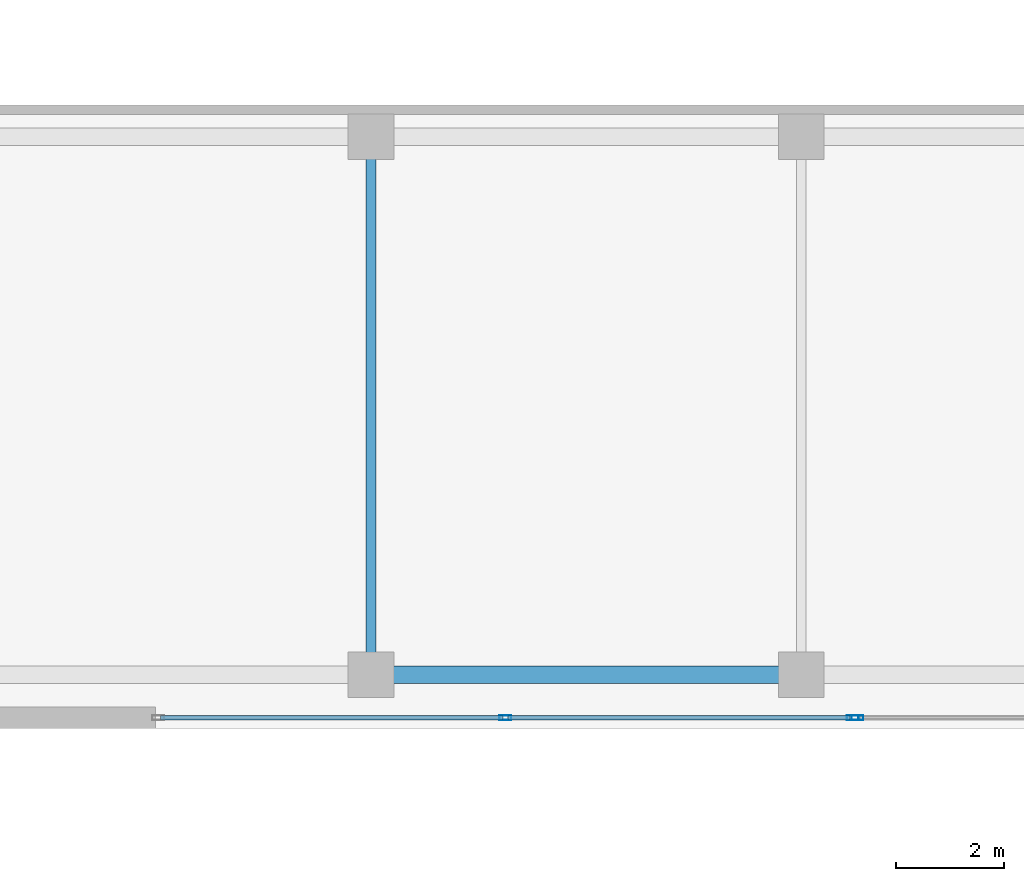
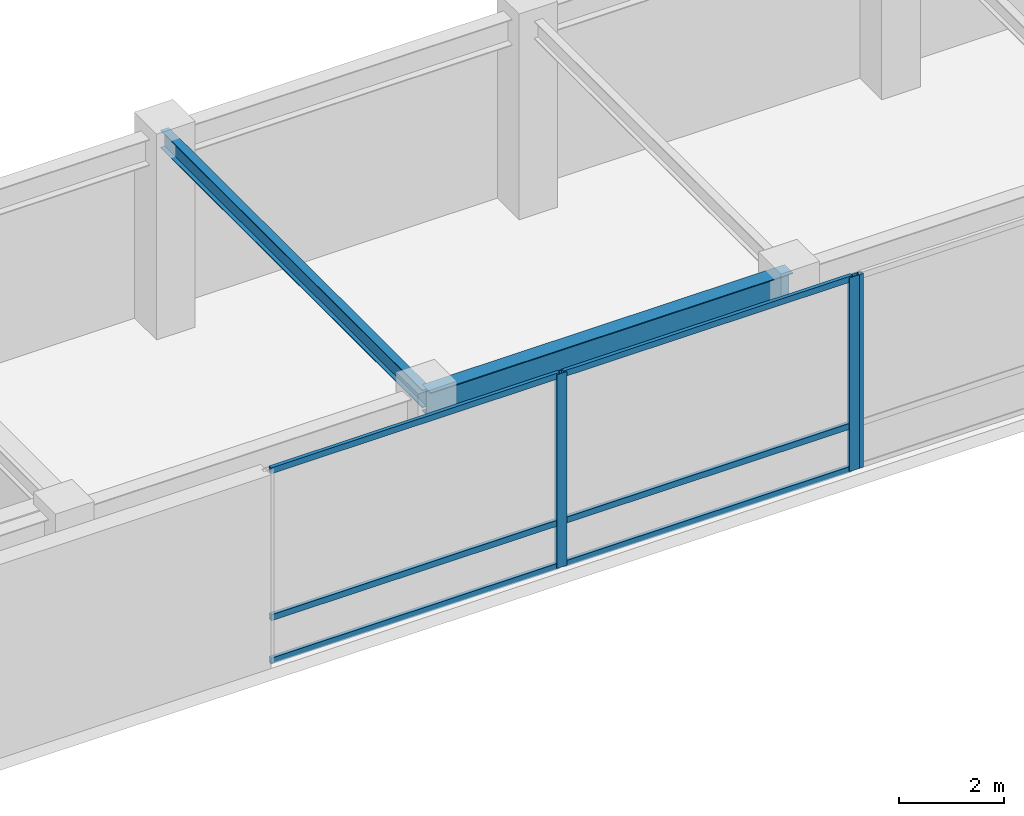
# One storey, part 13 of 36: 9 members, 2 beams, 2 elements without a shape of their own.
"""IFC4 building model written with IfcOpenShell, lengths in metres."""

from ifc_helpers import new_model, si_unit, direction, frame, origin, origin_2d, place, context, subcontext, project, spatial, hollow_rectangle, i_section, extrude, material, layer, layer_set, material_profile, profile_set, type_object, element, aggregate, save


model = new_model("IFC4")

# Units and contexts
model_context = context("Model", 3, precision=1e-05, world=origin(), true_north=direction((0.0, 1.0)))
body_context = subcontext(model_context, "Body", "Model", "MODEL_VIEW")
ifc_project = project(units=[si_unit("LENGTHUNIT", "METRE"), si_unit("AREAUNIT", "SQUARE_METRE"), si_unit("VOLUMEUNIT", "CUBIC_METRE"), si_unit("PLANEANGLEUNIT", "RADIAN"), si_unit("MASSUNIT", "GRAM", prefix="KILO")], contexts=[model_context])

# Site, building, storey
site_placement = place(None, origin())
site = spatial("IfcSite", under=ifc_project, at=site_placement, CompositionType="ELEMENT")
building_placement = place(site_placement, origin())
building = spatial("IfcBuilding", under=site, at=building_placement, Name="Kazevale Care Tower and Concert Hall", CompositionType="ELEMENT")
storey_placement = place(building_placement, frame((0.0, 0.0, 14.39990234375)))
storey = spatial("IfcBuildingStorey", under=building, at=storey_placement, Name="L03", CompositionType="ELEMENT", Elevation=14.39990234375)

# Curtain wall, members
ifc_material_1 = material(Name="Aluminium 6063-T6 and Low-E Glass", Category="aluminium")
ifc_layer = layer(ifc_material_1, 0.179931640625)
ifc_layer_set = layer_set([ifc_layer], Name="Aluminium 6063-T6 and Low-E Glass")
curtain_wall_type = type_object("IfcCurtainWallType", Name="Concert Hall Foyer Storefront Curtain Wall CW-6", PredefinedType="NOTDEFINED", material=ifc_layer_set)
curtain_wall_1_placement = place(storey_placement, origin())
curtain_wall_1 = element("IfcCurtainWall", 1, at=curtain_wall_1_placement, inside=storey, type_object=curtain_wall_type, Name="cw:L03:hall:S2", PredefinedType="NOTDEFINED")
ifc_material_2 = material(Name="Aluminium 6063-T6", Category="aluminium")
ifc_material_profile_1 = material_profile(ifc_material_2, hollow_rectangle(XDim=0.090087890625, YDim=0.219970703125, WallThickness=0.0048828125, at=origin_2d()), Name="ALU90x220x5")
ifc_profile_set_1 = profile_set([ifc_material_profile_1], Name="Aluminium 6063-T6")
member_type_1 = type_object("IfcMemberType", Name="CW-6 Mullion ALU90x220x5", PredefinedType="MULLION", material=ifc_profile_set_1)
member_1_placement = place(storey_placement, frame((114.5, 14.199951171875, 0.0), z_axis=(0.0, 0.0, 1.0), x_axis=(0.0, 1.0, 0.0)))
member_1 = element("IfcMember", 2, at=member_1_placement, type_object=member_type_1, Name="CW-6 mullion 2", PredefinedType="MULLION", context=body_context, shape_type="SweptSolid", body=[
    extrude(hollow_rectangle(XDim=0.090087890625, YDim=0.219970703125, WallThickness=0.0048828125, at=origin_2d()), origin(), (0.0, 0.0, 1.0), 4.52001953125),
])
member_2_placement = place(storey_placement, frame((120.955078125, 14.199951171875, 0.0), z_axis=(0.0, 0.0, 1.0), x_axis=(0.0, 1.0, 0.0)))
member_2 = element("IfcMember", 3, at=member_2_placement, type_object=member_type_1, Name="CW-6 mullion 3", PredefinedType="MULLION", context=body_context, shape_type="SweptSolid", body=[
    extrude(hollow_rectangle(XDim=0.090087890625, YDim=0.219970703125, WallThickness=0.0048828125, at=origin_2d()), origin(), (0.0, 0.0, 1.0), 4.52001953125),
])

# Curtain wall, member
curtain_wall_2_placement = place(storey_placement, origin())
curtain_wall_2 = element("IfcCurtainWall", 4, at=curtain_wall_2_placement, inside=storey, type_object=curtain_wall_type, Name="cw:L03:hall:S3", PredefinedType="NOTDEFINED")
member_3_placement = place(storey_placement, frame((121.044921875, 14.199951171875, 0.0), z_axis=(0.0, 0.0, 1.0), x_axis=(0.0, 1.0, 0.0)))
member_3 = element("IfcMember", 5, at=member_3_placement, type_object=member_type_1, Name="CW-6 mullion 1", PredefinedType="MULLION", context=body_context, shape_type="SweptSolid", body=[
    extrude(hollow_rectangle(XDim=0.090087890625, YDim=0.219970703125, WallThickness=0.0048828125, at=origin_2d()), origin(), (0.0, 0.0, 1.0), 4.52001953125),
])
aggregate(curtain_wall_2, [member_3])

# Member
ifc_material_profile_2 = material_profile(ifc_material_2, hollow_rectangle(XDim=0.080078125, YDim=0.139892578125, WallThickness=0.00390625, at=origin_2d()), Name="ALU80x140x4")
ifc_profile_set_2 = profile_set([ifc_material_profile_2], Name="Aluminium 6063-T6")
member_type_2 = type_object("IfcMemberType", Name="CW-6 Transom ALU80x140x4", PredefinedType="USERDEFINED", material=ifc_profile_set_2)
member_4_placement = place(storey_placement, frame((108.090087890625, 14.199951171875, 0.0400390625), z_axis=(1.0, 0.0, 0.0), x_axis=(0.0, 1.0, 0.0)))
member_4 = element("IfcMember", 6, at=member_4_placement, type_object=member_type_2, Name="CW-6 transom 1.1", ObjectType="TRANSOM", PredefinedType="USERDEFINED", context=body_context, shape_type="SweptSolid", body=[
    extrude(hollow_rectangle(XDim=0.080078125, YDim=0.139892578125, WallThickness=0.00390625, at=origin_2d()), origin(), (0.0, 0.0, 1.0), 6.364990234375),
])

member_5_placement = place(storey_placement, frame((108.090087890625, 14.199951171875, 1.050048828125), z_axis=(1.0, 0.0, 0.0), x_axis=(0.0, 1.0, 0.0)))
member_5 = element("IfcMember", 7, at=member_5_placement, type_object=member_type_2, Name="CW-6 transom 1.2", ObjectType="TRANSOM", PredefinedType="USERDEFINED", context=body_context, shape_type="SweptSolid", body=[
    extrude(hollow_rectangle(XDim=0.080078125, YDim=0.139892578125, WallThickness=0.00390625, at=origin_2d()), origin(), (0.0, 0.0, 1.0), 6.364990234375),
])

member_6_placement = place(storey_placement, frame((108.090087890625, 14.199951171875, 4.47998046875), z_axis=(1.0, 0.0, 0.0), x_axis=(0.0, 1.0, 0.0)))
member_6 = element("IfcMember", 8, at=member_6_placement, type_object=member_type_2, Name="CW-6 transom 1.3", ObjectType="TRANSOM", PredefinedType="USERDEFINED", context=body_context, shape_type="SweptSolid", body=[
    extrude(hollow_rectangle(XDim=0.080078125, YDim=0.139892578125, WallThickness=0.00390625, at=origin_2d()), origin(), (0.0, 0.0, 1.0), 6.364990234375),
])

member_7_placement = place(storey_placement, frame((114.544921875, 14.199951171875, 0.0400390625), z_axis=(1.0, 0.0, 0.0), x_axis=(0.0, 1.0, 0.0)))
member_7 = element("IfcMember", 9, at=member_7_placement, type_object=member_type_2, Name="CW-6 transom 2.1", ObjectType="TRANSOM", PredefinedType="USERDEFINED", context=body_context, shape_type="SweptSolid", body=[
    extrude(hollow_rectangle(XDim=0.080078125, YDim=0.139892578125, WallThickness=0.00390625, at=origin_2d()), origin(), (0.0, 0.0, 1.0), 6.364990234375),
])

member_8_placement = place(storey_placement, frame((114.544921875, 14.199951171875, 1.050048828125), z_axis=(1.0, 0.0, 0.0), x_axis=(0.0, 1.0, 0.0)))
member_8 = element("IfcMember", 10, at=member_8_placement, type_object=member_type_2, Name="CW-6 transom 2.2", ObjectType="TRANSOM", PredefinedType="USERDEFINED", context=body_context, shape_type="SweptSolid", body=[
    extrude(hollow_rectangle(XDim=0.080078125, YDim=0.139892578125, WallThickness=0.00390625, at=origin_2d()), origin(), (0.0, 0.0, 1.0), 6.364990234375),
])

member_9_placement = place(storey_placement, frame((114.544921875, 14.199951171875, 4.47998046875), z_axis=(1.0, 0.0, 0.0), x_axis=(0.0, 1.0, 0.0)))
member_9 = element("IfcMember", 11, at=member_9_placement, type_object=member_type_2, Name="CW-6 transom 2.3", ObjectType="TRANSOM", PredefinedType="USERDEFINED", context=body_context, shape_type="SweptSolid", body=[
    extrude(hollow_rectangle(XDim=0.080078125, YDim=0.139892578125, WallThickness=0.00390625, at=origin_2d()), origin(), (0.0, 0.0, 1.0), 6.364990234375),
])

aggregate(curtain_wall_1, [member_1, member_2, member_4, member_5, member_6, member_7, member_8, member_9])

# Beams
ifc_material_3 = material(Name="Steel ASTM A572 Gr 50", Category="steel")
ifc_material_profile_3 = material_profile(ifc_material_3, i_section(OverallWidth=0.323974609375, OverallDepth=0.611083984375, WebThickness=0.0126953125, FlangeThickness=0.01904296875, at=origin_2d()), Name="W610x155")
ifc_profile_set_3 = profile_set([ifc_material_profile_3], Name="Steel ASTM A572 Gr 50")
beam_type_1 = type_object("IfcBeamType", Name="Concert Hall Frame Girder W610x155", PredefinedType="BEAM", material=ifc_profile_set_3)
beam_1_placement = place(storey_placement, frame((112.0, 15.0, 4.214599609375), z_axis=(1.0, 0.0, 0.0), x_axis=(0.0, 1.0, 0.0)))
element("IfcBeam", 12, at=beam_1_placement, inside=storey, type_object=beam_type_1, Name="beam:L03:hx:112_15", PredefinedType="BEAM", context=body_context, shape_type="SweptSolid", body=[
    extrude(i_section(OverallWidth=0.323974609375, OverallDepth=0.611083984375, WebThickness=0.0126953125, FlangeThickness=0.01904296875, at=origin_2d()), origin(), (0.0, 0.0, 1.0), 8.0),
])
ifc_material_profile_4 = material_profile(ifc_material_3, i_section(OverallWidth=0.180908203125, OverallDepth=0.4169921875, WebThickness=0.010986328125, FlangeThickness=0.018310546875, at=origin_2d()), Name="W410x85")
ifc_profile_set_4 = profile_set([ifc_material_profile_4], Name="Steel ASTM A572 Gr 50")
beam_type_2 = type_object("IfcBeamType", Name="Concert Hall Secondary Beam W410x85", PredefinedType="BEAM", material=ifc_profile_set_4)
beam_2_placement = place(storey_placement, frame((112.0, 15.0, 4.3115234375), z_axis=(0.0, 1.0, 0.0), x_axis=(-1.0, 0.0, 0.0)))
element("IfcBeam", 13, at=beam_2_placement, inside=storey, type_object=beam_type_2, Name="beam:L03:hy:112_15", PredefinedType="BEAM", context=body_context, shape_type="SweptSolid", body=[
    extrude(i_section(OverallWidth=0.180908203125, OverallDepth=0.4169921875, WebThickness=0.010986328125, FlangeThickness=0.018310546875, at=origin_2d()), origin(), (0.0, 0.0, 1.0), 10.0),
])

save(model, "model.ifc")
